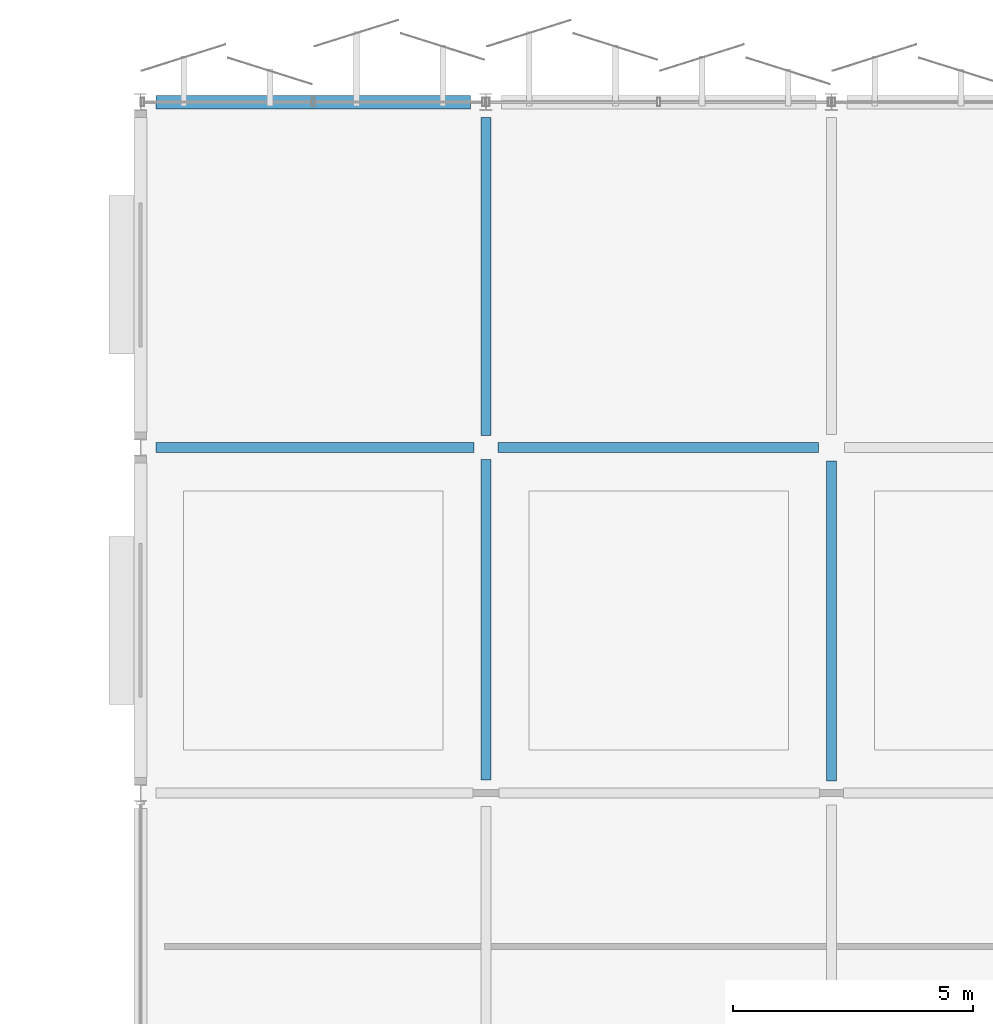
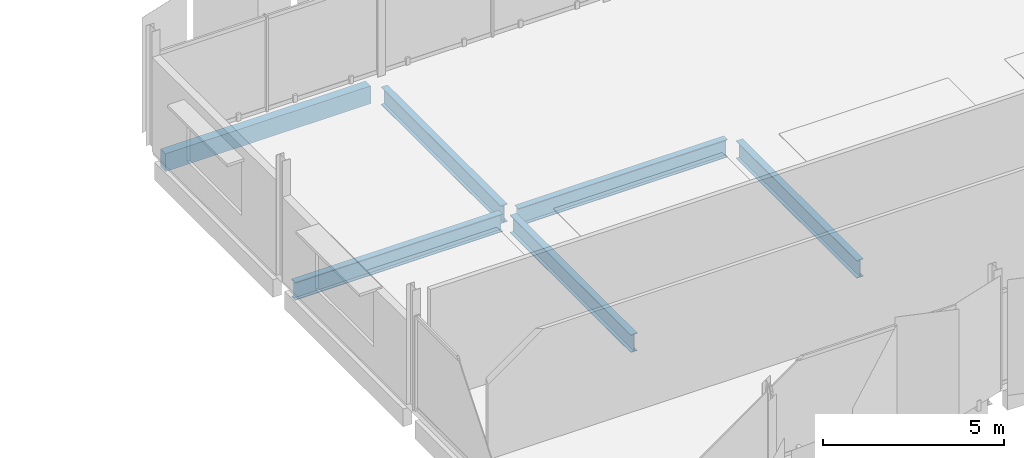
# One storey, part 31 of 91: 6 beams.
"""IFC4 building model written with IfcOpenShell, lengths in metres."""

import ifcopenshell
import ifcopenshell.guid

model = None  # the IFC model being written
_history = None  # IfcOwnerHistory: only IFC2X3 demands one
_inside = {}  # id of a spatial element -> (the spatial element, [elements in it])
_under = {}  # id of a project, library or spatial element -> (it, [spatial elements below it])
_declared = {}  # id of a project -> (the project, [libraries it declares])
_typed = {}  # id of a type object -> (the type object, [elements of that type])
_made_of = {}  # id of a material, layer set ... -> (it, [elements and type objects made of it])


def new_model(schema):
    """Start an empty IFC model of exactly this schema.

    Asked for "IFC4X3", IfcOpenShell would pick the latest addendum, in which some entities
    have other attributes; the version numbers below select the first issue.
    IFC2X3 requires an IfcOwnerHistory on every rooted entity: one is made here for all.
    """
    global model, _history
    if schema == "IFC4X3":
        model = ifcopenshell.file(schema_version=(4, 3, 0, 0))
    else:
        model = ifcopenshell.file(schema=schema)
    _inside.clear()
    _under.clear()
    _declared.clear()
    _typed.clear()
    _made_of.clear()
    _history = None
    if model.schema == "IFC2X3":
        org = make("IfcOrganization", Name="unknown")
        user = make(
            "IfcPersonAndOrganization",
            ThePerson=make("IfcPerson", FamilyName="unknown"),
            TheOrganization=org,
        )
        app = make(
            "IfcApplication",
            ApplicationDeveloper=org,
            Version="unknown",
            ApplicationFullName="unknown",
            ApplicationIdentifier="unknown",
        )
        _history = make(
            "IfcOwnerHistory",
            OwningUser=user,
            OwningApplication=app,
            ChangeAction="ADDED",
            CreationDate=0,
        )
    return model


def make(cls, **values):
    """One entity of the class cls with the attributes given. An attribute that is None is left unset."""
    return model.create_entity(
        cls, **{name: value for name, value in values.items() if value is not None}
    )


def rooted(cls, **values):
    """An entity with a GlobalId (a new one), such as an element, a storey or a relation."""
    return make(cls, GlobalId=ifcopenshell.guid.new(), OwnerHistory=_history, **values)


def si_unit(unit_type, name, prefix=None):
    """IfcSIUnit, for example si_unit("LENGTHUNIT", "METRE", prefix="MILLI")."""
    return make("IfcSIUnit", UnitType=unit_type, Prefix=prefix, Name=name)


def assignment(units):
    """IfcUnitAssignment: the units of a project."""
    return None if units is None else make("IfcUnitAssignment", Units=units)


def point(xyz):
    """IfcCartesianPoint."""
    return None if xyz is None else make("IfcCartesianPoint", Coordinates=xyz)


def direction(xyz):
    """IfcDirection."""
    return None if xyz is None else make("IfcDirection", DirectionRatios=xyz)


def frame(location, z_axis=None, x_axis=None):
    """IfcAxis2Placement3D, a coordinate frame: its origin and axes. An axis left out is left unset."""
    return make(
        "IfcAxis2Placement3D",
        Location=point(location),
        Axis=direction(z_axis),
        RefDirection=direction(x_axis),
    )


def frame_2d(location, x_axis=None):
    """IfcAxis2Placement2D, a coordinate frame in the plane: its origin and x axis."""
    return make(
        "IfcAxis2Placement2D", Location=point(location), RefDirection=direction(x_axis)
    )


def origin():
    """The frame at (0, 0, 0) with its axes left unset."""
    return frame((0.0, 0.0, 0.0))


def origin_2d():
    """The frame at (0, 0) in the plane with its x axis left unset."""
    return frame_2d((0.0, 0.0))


def place(relative_to, where):
    """IfcLocalPlacement: puts the frame where relative to a parent placement (None: the world)."""
    return make(
        "IfcLocalPlacement", PlacementRelTo=relative_to, RelativePlacement=where
    )


def context(
    kind, dimensions, precision=None, world=None, true_north=None, identifier=None
):
    """IfcGeometricRepresentationContext, for example the 3D "Model" context."""
    return make(
        "IfcGeometricRepresentationContext",
        ContextIdentifier=identifier,
        ContextType=kind,
        CoordinateSpaceDimension=dimensions,
        Precision=precision,
        WorldCoordinateSystem=world,
        TrueNorth=true_north,
    )


def subcontext(parent, identifier, kind, view, scale=None):
    """IfcGeometricRepresentationSubContext, for example "Body" below "Model"."""
    return make(
        "IfcGeometricRepresentationSubContext",
        ContextIdentifier=identifier,
        ContextType=kind,
        ParentContext=parent,
        TargetScale=scale,
        TargetView=view,
    )


def project(units=None, contexts=None):
    """IfcProject with its units and contexts."""
    return rooted(
        "IfcProject",
        Name="project",
        RepresentationContexts=contexts,
        UnitsInContext=assignment(units),
    )


def spatial(cls, under=None, at=None, **own):
    """A site, building, storey or space (cls), placed at a placement, below another one or the project."""
    s = rooted(cls, ObjectPlacement=at, **own)
    if under is not None:
        _under.setdefault(under.id(), (under, []))[1].append(s)
    return s


def profile(cls, at=None, kind="AREA", **sizes):
    """A parametric profile (cls). Its sizes go by their IFC names, for example OverallWidth=200.0."""
    return make(cls, ProfileType=kind, Position=at, **sizes)


def rectangle(**sizes):
    """IfcRectangleProfileDef."""
    return profile("IfcRectangleProfileDef", **sizes)


def i_section(**sizes):
    """IfcIShapeProfileDef."""
    return profile("IfcIShapeProfileDef", **sizes)


def extrude(swept, where, along, depth):
    """IfcExtrudedAreaSolid: the profile swept, set in the frame where, extruded along a direction by depth."""
    return make(
        "IfcExtrudedAreaSolid",
        SweptArea=swept,
        Position=where,
        ExtrudedDirection=direction(along),
        Depth=depth,
    )


def shape(context_of_items, identifier, shape_type, items):
    """IfcShapeRepresentation: the items that make up one representation, for example the "Body"."""
    return make(
        "IfcShapeRepresentation",
        ContextOfItems=context_of_items,
        RepresentationIdentifier=identifier,
        RepresentationType=shape_type,
        Items=items,
    )


def material(Name=None, Category=None):
    """IfcMaterial."""
    return make("IfcMaterial", Name=Name, Category=Category)


def material_profile(
    of_material, cross_section, Name=None, Category=None, Priority=None
):
    """IfcMaterialProfile: a cross section and its material."""
    return make(
        "IfcMaterialProfile",
        Name=Name,
        Material=of_material,
        Profile=cross_section,
        Priority=Priority,
        Category=Category,
    )


def profile_set(profiles, Name=None, composite=None):
    """IfcMaterialProfileSet."""
    return make(
        "IfcMaterialProfileSet",
        Name=Name,
        MaterialProfiles=profiles,
        CompositeProfile=composite,
    )


def made_of(thing, what):
    """Note that an element or type object is made of a material, layer set ...; save() writes the relation."""
    if what is not None:
        _made_of.setdefault(what.id(), (what, []))[1].append(thing)
    return thing


def type_object(cls, material=None, **own):
    """A type object (cls), such as IfcWallType, which elements share."""
    return made_of(rooted(cls, **own), material)


def element(
    cls,
    number,
    at=None,
    inside=None,
    cuts=None,
    type_object=None,
    material=None,
    context=None,
    identifier="Body",
    shape_type=None,
    held_by="IfcProductDefinitionShape",
    body=None,
    shapes=None,
    **own,
):
    """One element of the class cls, such as IfcWall. Its Tag is "e" and its number.

    at: its placement. inside: the storey or other place that contains it. cuts: it is an
    opening in that element (IfcRelVoidsElement). A single representation is given by context,
    identifier, shape_type and body (its items); several are given by shapes. held_by: the class
    of the entity that holds the representations. save() writes the other relations.
    """
    e = rooted(cls, Tag="e%d" % number, ObjectPlacement=at, **own)
    if body is not None:
        shapes = [shape(context, identifier, shape_type, body)]
    if shapes is not None:
        e.Representation = make(held_by, Representations=shapes)
    if inside is not None:
        _inside.setdefault(inside.id(), (inside, []))[1].append(e)
    if cuts is not None:
        rooted(
            "IfcRelVoidsElement", RelatingBuildingElement=cuts, RelatedOpeningElement=e
        )
    if type_object is not None:
        _typed.setdefault(type_object.id(), (type_object, []))[1].append(e)
    return made_of(e, material)


def aggregate(whole, parts):
    """IfcRelAggregates: a whole, such as a stair, and the parts it consists of."""
    return rooted("IfcRelAggregates", RelatingObject=whole, RelatedObjects=parts)


def save(model, path):
    """Write the relations noted so far, then the file.

    IfcRelAggregates (storeys below a building ...), IfcRelContainedInSpatialStructure (elements
    in a storey), IfcRelDefinesByType, IfcRelAssociatesMaterial and IfcRelDeclares: one each for
    every whole, place, type object, material and project.
    """
    for whole, parts in _under.values():
        aggregate(whole, parts)
    for where, things in _inside.values():
        rooted(
            "IfcRelContainedInSpatialStructure",
            RelatedElements=things,
            RelatingStructure=where,
        )
    for kind, things in _typed.values():
        rooted("IfcRelDefinesByType", RelatedObjects=things, RelatingType=kind)
    for what, things in _made_of.values():
        rooted("IfcRelAssociatesMaterial", RelatedObjects=things, RelatingMaterial=what)
    for by, libraries in _declared.values():
        rooted("IfcRelDeclares", RelatingContext=by, RelatedDefinitions=libraries)
    model.write(path)


model = new_model("IFC4")

# Units and contexts
model_context = context("Model", 3, precision=1e-05, world=origin(), true_north=direction((0.0, 1.0)))
body_context = subcontext(model_context, "Body", "Model", "MODEL_VIEW")
ifc_project = project(units=[si_unit("LENGTHUNIT", "METRE"), si_unit("AREAUNIT", "SQUARE_METRE"), si_unit("VOLUMEUNIT", "CUBIC_METRE"), si_unit("PLANEANGLEUNIT", "RADIAN"), si_unit("MASSUNIT", "GRAM", prefix="KILO")], contexts=[model_context])

# Site, building, storey
site_placement = place(None, origin())
site = spatial("IfcSite", under=ifc_project, at=site_placement, CompositionType="ELEMENT")
building_placement = place(site_placement, origin())
building = spatial("IfcBuilding", under=site, at=building_placement, Name="Kangsadwip Square Police Headquarters", CompositionType="ELEMENT")
storey_placement = place(building_placement, frame((0.0, 0.0, 13.5)))
storey = spatial("IfcBuildingStorey", under=building, at=storey_placement, Name="L03", CompositionType="ELEMENT", Elevation=13.5)

# Beams
ifc_material_1 = material(Name="Concrete M40 (40 MPa)", Category="concrete")
ifc_material_profile_1 = material_profile(ifc_material_1, rectangle(XDim=0.280029296875, YDim=0.60009765625, at=origin_2d()), Name="RC SPN 600X280")
ifc_profile_set_1 = profile_set([ifc_material_profile_1], Name="Concrete M40 (40 MPa)")
beam_type_1 = type_object("IfcBeamType", Name="RcSpandrel600x280", PredefinedType="SPANDREL", material=ifc_profile_set_1)
beam_1_placement = place(storey_placement, frame((93.925048828125, 115.199951171875, -0.5400390625), z_axis=(1.0, 0.0, 0.0), x_axis=(0.0, 1.0, 0.0)))
element("IfcBeam", 1, at=beam_1_placement, inside=storey, type_object=beam_type_1, Name="Beam BM-L03-X-13-16", PredefinedType="SPANDREL", context=body_context, shape_type="SweptSolid", body=[
    extrude(rectangle(XDim=0.280029296875, YDim=0.60009765625, at=origin_2d()), origin(), (0.0, 0.0, 1.0), 6.550048828125),
])
ifc_material_2 = material(Name="Structural steel IS 2062 E350 (Grade 350, 350 MPa)", Category="steel")
ifc_material_profile_2 = material_profile(ifc_material_2, i_section(OverallWidth=0.2099609375, OverallDepth=0.60009765625, WebThickness=0.011962890625, FlangeThickness=0.020751953125, at=origin_2d()), Name="ISMB 600")
ifc_profile_set_2 = profile_set([ifc_material_profile_2], Name="Structural steel IS 2062 E350 (Grade 350, 350 MPa)")
beam_type_2 = type_object("IfcBeamType", Name="SteelBeamIsmb600", PredefinedType="BEAM", material=ifc_profile_set_2)
beam_2_placement = place(storey_placement, frame((93.925048828125, 108.0, -0.5400390625), z_axis=(1.0, 0.0, 0.0), x_axis=(0.0, 1.0, 0.0)))
element("IfcBeam", 2, at=beam_2_placement, inside=storey, type_object=beam_type_2, Name="Beam BM-L03-X-13-15", PredefinedType="BEAM", context=body_context, shape_type="SweptSolid", body=[
    extrude(i_section(OverallWidth=0.2099609375, OverallDepth=0.60009765625, WebThickness=0.011962890625, FlangeThickness=0.020751953125, at=origin_2d()), origin(), (0.0, 0.0, 1.0), 6.625),
])
for number, where, z_axis, x_axis, name in (
    (3, (101.050048828125, 108.0, -0.5400390625), (1.0, 0.0, 0.0), (0.0, 1.0, 0.0), "Beam BM-L03-X-14-15"),
    (4, (100.800048828125, 101.074951171875, -0.5400390625), (0.0, 1.0, 0.0), (-1.0, 0.0, 0.0), "Beam BM-L03-Y-14-14"),
):
    element("IfcBeam", number, at=place(storey_placement, frame(where, z_axis=z_axis, x_axis=x_axis)), inside=storey, type_object=beam_type_2, Name=name, PredefinedType="BEAM", context=body_context, shape_type="SweptSolid", body=[
        extrude(i_section(OverallWidth=0.2099609375, OverallDepth=0.60009765625, WebThickness=0.011962890625, FlangeThickness=0.020751953125, at=origin_2d()), origin(), (0.0, 0.0, 1.0), 6.675048828125),
    ])
beam_3_placement = place(storey_placement, frame((100.800048828125, 108.25, -0.5400390625), z_axis=(0.0, 1.0, 0.0), x_axis=(-1.0, 0.0, 0.0)))
element("IfcBeam", 5, at=beam_3_placement, inside=storey, type_object=beam_type_2, Name="Beam BM-L03-Y-14-15", PredefinedType="BEAM", context=body_context, shape_type="SweptSolid", body=[
    extrude(i_section(OverallWidth=0.2099609375, OverallDepth=0.60009765625, WebThickness=0.011962890625, FlangeThickness=0.020751953125, at=origin_2d()), origin(), (0.0, 0.0, 1.0), 6.625),
])
beam_4_placement = place(storey_placement, frame((108.0, 101.050048828125, -0.5400390625), z_axis=(0.0, 1.0, 0.0), x_axis=(-1.0, 0.0, 0.0)))
element("IfcBeam", 6, at=beam_4_placement, inside=storey, type_object=beam_type_2, Name="Beam BM-L03-Y-15-14", PredefinedType="BEAM", context=body_context, shape_type="SweptSolid", body=[
    extrude(i_section(OverallWidth=0.2099609375, OverallDepth=0.60009765625, WebThickness=0.011962890625, FlangeThickness=0.020751953125, at=origin_2d()), origin(), (0.0, 0.0, 1.0), 6.675048828125),
])

save(model, "model.ifc")
